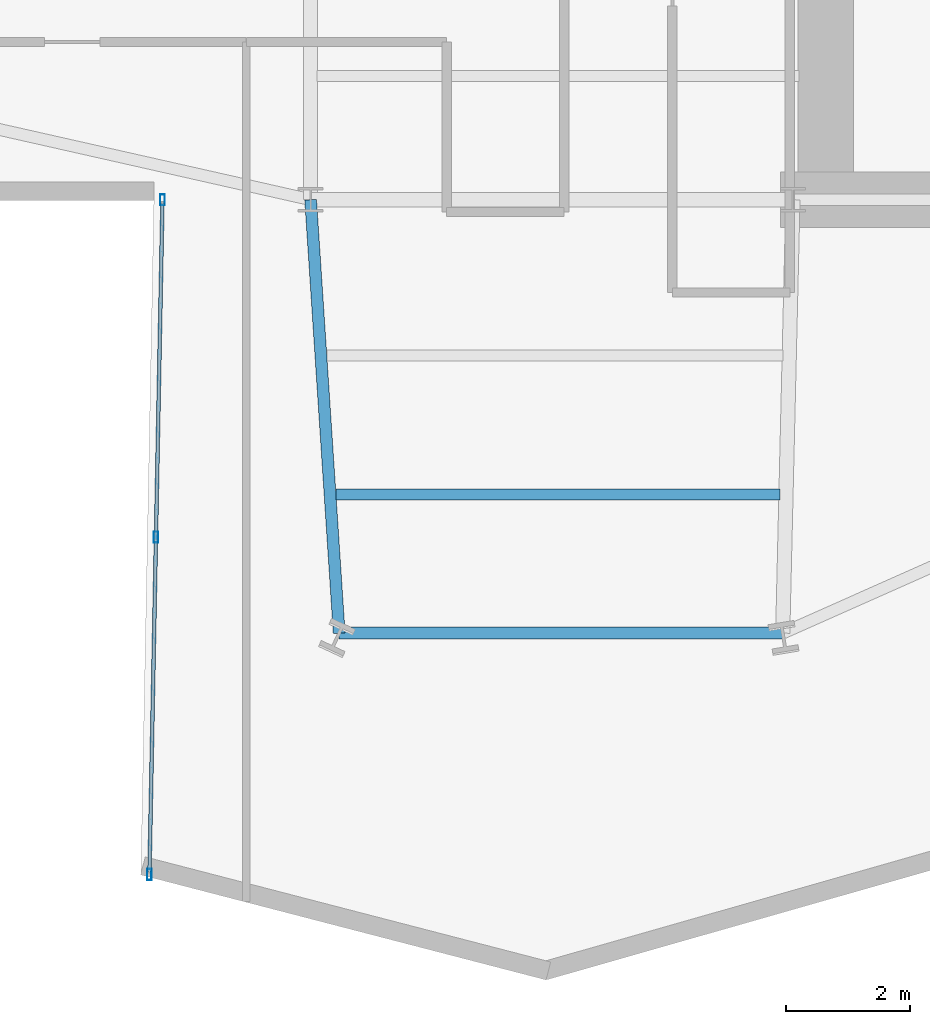
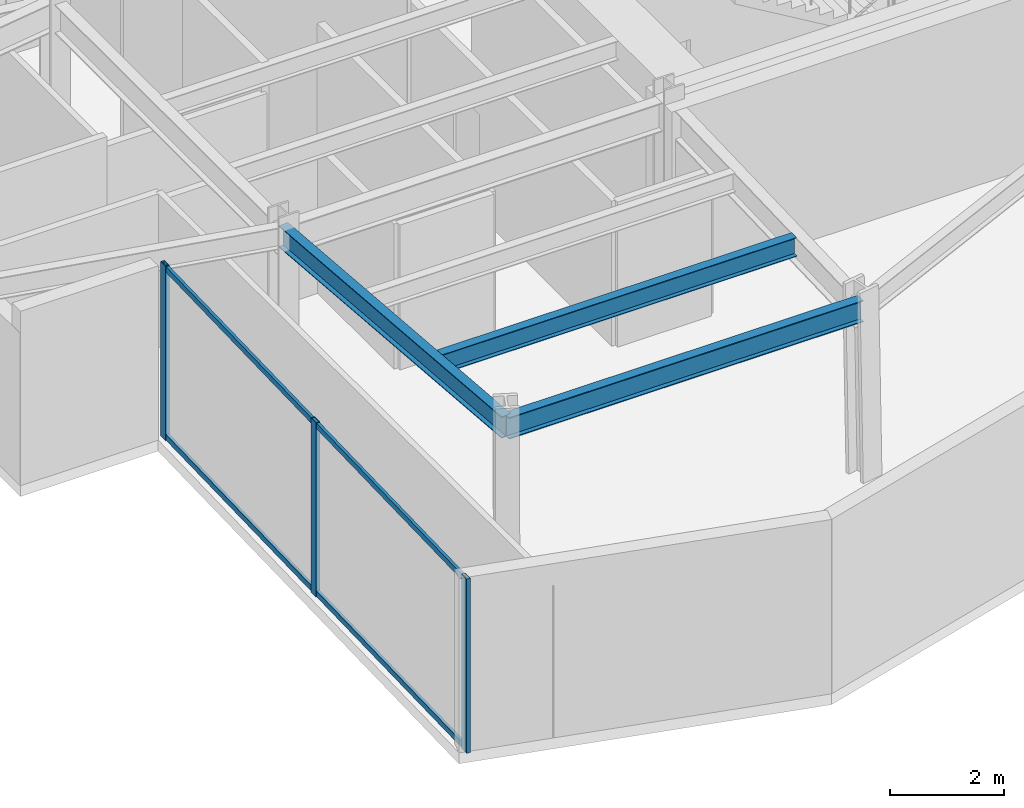
# One storey, part 4 of 25: 5 members, 3 beams, 1 element without a shape of its own.
"""IFC4 building model written with IfcOpenShell, lengths in metres."""

from ifc_helpers import new_model, si_unit, direction, frame, origin, origin_2d, place, context, subcontext, project, spatial, hollow_rectangle, i_section, extrude, material, layer, layer_set, material_profile, profile_set, type_object, element, aggregate, save


model = new_model("IFC4")

# Units and contexts
model_context = context("Model", 3, precision=1e-05, world=origin(), true_north=direction((0.0, 1.0)))
body_context = subcontext(model_context, "Body", "Model", "MODEL_VIEW")
ifc_project = project(units=[si_unit("LENGTHUNIT", "METRE"), si_unit("AREAUNIT", "SQUARE_METRE"), si_unit("VOLUMEUNIT", "CUBIC_METRE"), si_unit("PLANEANGLEUNIT", "RADIAN"), si_unit("MASSUNIT", "GRAM", prefix="KILO")], contexts=[model_context])

# Site, building, storey
site_placement = place(None, origin())
site = spatial("IfcSite", under=ifc_project, at=site_placement, CompositionType="ELEMENT")
building_placement = place(site_placement, origin())
building = spatial("IfcBuilding", under=site, at=building_placement, Name="Veymaron Broadcast Tower", CompositionType="ELEMENT")
storey_placement = place(building_placement, frame((0.0, 0.0, 102.60009765625)))
storey = spatial("IfcBuildingStorey", under=building, at=storey_placement, Name="L23", CompositionType="ELEMENT", Elevation=102.60009765625)

# Beams
ifc_material_1 = material(Name="Structural steel ASTM A992 Gr 50", Category="steel")
ifc_material_profile_1 = material_profile(ifc_material_1, i_section(OverallWidth=0.177978515625, OverallDepth=0.406982421875, WebThickness=0.0078125, FlangeThickness=0.0126953125, at=origin_2d()), Name="W410X60")
ifc_profile_set_1 = profile_set([ifc_material_profile_1], Name="Structural steel ASTM A992 Gr 50")
beam_type_1 = type_object("IfcBeamType", Name="BM-JS1", PredefinedType="JOIST", material=ifc_profile_set_1)
beam_1_placement = place(storey_placement, frame((31.6142578125, 11.233154296875, 3.5263671875), z_axis=(1.0, 0.0, 0.0), x_axis=(0.0, 1.0, 0.0)))
element("IfcBeam", 1, at=beam_1_placement, inside=storey, type_object=beam_type_1, Name="L23 Arm-C secondary joist 2", PredefinedType="JOIST", context=body_context, shape_type="SweptSolid", body=[
    extrude(i_section(OverallWidth=0.177978515625, OverallDepth=0.406982421875, WebThickness=0.0078125, FlangeThickness=0.0126953125, at=origin_2d()), origin(), (0.0, 0.0, 1.0), 7.173583984375),
])
ifc_material_profile_2 = material_profile(ifc_material_1, i_section(OverallWidth=0.19091796875, OverallDepth=0.4599609375, WebThickness=0.010009765625, FlangeThickness=0.01611328125, at=origin_2d()), Name="W460X82")
ifc_profile_set_2 = profile_set([ifc_material_profile_2], Name="Structural steel ASTM A992 Gr 50")
beam_type_2 = type_object("IfcBeamType", Name="BM-SP1", PredefinedType="SPANDREL", material=ifc_profile_set_2)
beam_2_placement = place(storey_placement, frame((31.199951171875, 16.0, 3.5), z_axis=(0.065785510359, -0.997833787074, 0.0), x_axis=(0.997833787074, 0.065785510359, 0.0)))
element("IfcBeam", 2, at=beam_2_placement, inside=storey, type_object=beam_type_2, Name="L23 primary structural floor girder", PredefinedType="SPANDREL", context=body_context, shape_type="SweptSolid", body=[
    extrude(i_section(OverallWidth=0.19091796875, OverallDepth=0.4599609375, WebThickness=0.010009765625, FlangeThickness=0.01611328125, at=origin_2d()), origin(), (0.0, 0.0, 1.0), 7.025146484375),
])
beam_3_placement = place(storey_placement, frame((31.662109375, 8.989990234375, 3.5), z_axis=(1.0, 0.0, 0.0), x_axis=(0.0, 1.0, 0.0)))
element("IfcBeam", 3, at=beam_3_placement, inside=storey, type_object=beam_type_2, Name="L23 primary structural floor girder", PredefinedType="SPANDREL", context=body_context, shape_type="SweptSolid", body=[
    extrude(i_section(OverallWidth=0.19091796875, OverallDepth=0.4599609375, WebThickness=0.010009765625, FlangeThickness=0.01611328125, at=origin_2d()), origin(), (0.0, 0.0, 1.0), 7.1728515625),
])

# Curtain wall, members
ifc_material_2 = material(Name="Anodised aluminium AA 6063-T6 and laminated low-E dark glass", Category="aluminium")
ifc_layer = layer(ifc_material_2, 0.179931640625)
ifc_layer_set = layer_set([ifc_layer], Name="Anodised aluminium AA 6063-T6 and laminated low-E dark glass")
curtain_wall_type = type_object("IfcCurtainWallType", Name="CW-SYS-02", PredefinedType="NOTDEFINED", material=ifc_layer_set)
curtain_wall_placement = place(storey_placement, origin())
curtain_wall = element("IfcCurtainWall", 4, at=curtain_wall_placement, inside=storey, type_object=curtain_wall_type, Name="L23 dark-glass curtain wall CW-L23-E17-1", PredefinedType="NOTDEFINED")
ifc_material_3 = material(Name="Anodised aluminium AA 6063-T6", Category="aluminium")
ifc_material_profile_3 = material_profile(ifc_material_3, hollow_rectangle(XDim=0.074951171875, YDim=0.179931640625, WallThickness=0.0048828125, at=origin_2d()), Name="AL180X75X5")
ifc_profile_set_3 = profile_set([ifc_material_profile_3], Name="Anodised aluminium AA 6063-T6")
member_type_1 = type_object("IfcMemberType", Name="CW-MUL-02", PredefinedType="MULLION", material=ifc_profile_set_3)
member_1_placement = place(storey_placement, frame((28.804443359375, 15.997314453125, 0.0), z_axis=(0.0, 0.0, 1.0), x_axis=(1.0, 0.0, 0.0)))
member_1 = element("IfcMember", 5, at=member_1_placement, type_object=member_type_1, Name="CW-L23-E17-1 mullion 0", PredefinedType="MULLION", context=body_context, shape_type="SweptSolid", body=[
    extrude(hollow_rectangle(XDim=0.074951171875, YDim=0.179931640625, WallThickness=0.0048828125, at=origin_2d()), origin(), (0.0, 0.0, 1.0), 3.72998046875),
])
member_2_placement = place(storey_placement, frame((28.698974609375, 10.542236328125, 0.0), z_axis=(0.0, 0.0, 1.0), x_axis=(1.0, 0.0, 0.0)))
member_2 = element("IfcMember", 6, at=member_2_placement, type_object=member_type_1, Name="CW-L23-E17-1 mullion 1", PredefinedType="MULLION", context=body_context, shape_type="SweptSolid", body=[
    extrude(hollow_rectangle(XDim=0.074951171875, YDim=0.179931640625, WallThickness=0.0048828125, at=origin_2d()), origin(), (0.0, 0.0, 1.0), 3.72998046875),
])
member_3_placement = place(storey_placement, frame((28.59326171875, 5.08740234375, 0.0), z_axis=(0.0, 0.0, 1.0), x_axis=(1.0, 0.0, 0.0)))
member_3 = element("IfcMember", 7, at=member_3_placement, type_object=member_type_1, Name="CW-L23-E17-1 mullion 2", PredefinedType="MULLION", context=body_context, shape_type="SweptSolid", body=[
    extrude(hollow_rectangle(XDim=0.074951171875, YDim=0.179931640625, WallThickness=0.0048828125, at=origin_2d()), origin(), (0.0, 0.0, 1.0), 3.72998046875),
])
ifc_material_profile_4 = material_profile(ifc_material_3, hollow_rectangle(XDim=0.06005859375, YDim=0.1201171875, WallThickness=0.00390625, at=origin_2d()), Name="AL120X60X4")
ifc_profile_set_4 = profile_set([ifc_material_profile_4], Name="Anodised aluminium AA 6063-T6")
member_type_2 = type_object("IfcMemberType", Name="CW-TRN-02", PredefinedType="USERDEFINED", material=ifc_profile_set_4)
member_4_placement = place(storey_placement, frame((28.803466796875, 15.947265625, 0.06982421875), z_axis=(-0.019351360097, -0.999812744899, 0.0), x_axis=(0.999812744899, -0.019351360097, 0.0)))
member_4 = element("IfcMember", 8, at=member_4_placement, type_object=member_type_2, Name="CW-L23-E17-1 transom B", ObjectType="TRANSOM", PredefinedType="USERDEFINED", context=body_context, shape_type="SweptSolid", body=[
    extrude(hollow_rectangle(XDim=0.06005859375, YDim=0.1201171875, WallThickness=0.00390625, at=origin_2d()), origin(), (0.0, 0.0, 1.0), 10.81201171875),
])
member_5_placement = place(storey_placement, frame((28.803466796875, 15.947265625, 3.659912109375), z_axis=(-0.019351360097, -0.999812744899, 0.0), x_axis=(0.999812744899, -0.019351360097, 0.0)))
member_5 = element("IfcMember", 9, at=member_5_placement, type_object=member_type_2, Name="CW-L23-E17-1 transom T", ObjectType="TRANSOM", PredefinedType="USERDEFINED", context=body_context, shape_type="SweptSolid", body=[
    extrude(hollow_rectangle(XDim=0.06005859375, YDim=0.1201171875, WallThickness=0.00390625, at=origin_2d()), origin(), (0.0, 0.0, 1.0), 10.81201171875),
])
aggregate(curtain_wall, [member_1, member_2, member_3, member_4, member_5])

save(model, "model.ifc")
